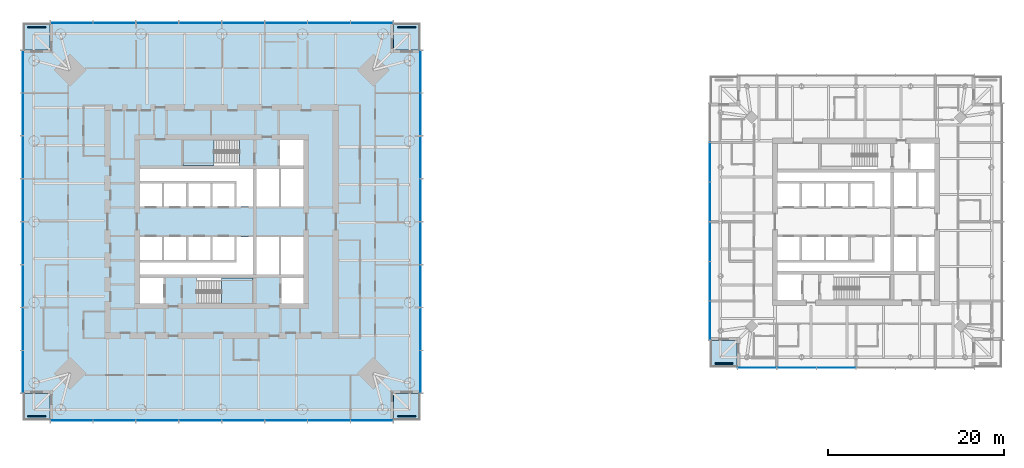
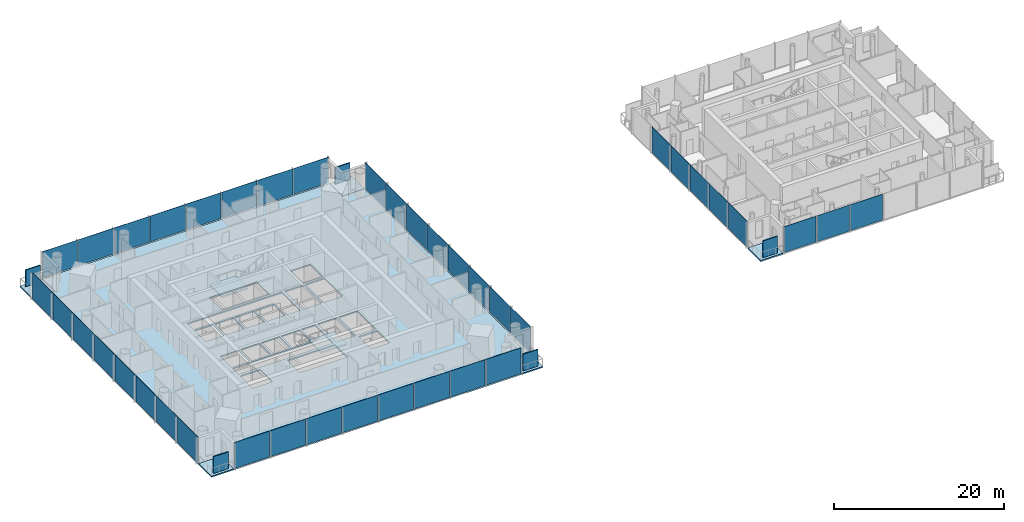
# One storey, part 6 of 18: 45 plates, 8 slabs, 8 elements without a shape of their own.
"""IFC4 building model written with IfcOpenShell, lengths in metres."""

from ifc_helpers import new_model, si_unit, direction, frame, origin, origin_2d, place, context, subcontext, project, spatial, polyline, rectangle, outline, extrude, material, layer, layer_set, type_object, element, aggregate, save


model = new_model("IFC4")

# Units and contexts
model_context = context("Model", 3, precision=1e-05, world=origin(), true_north=direction((0.0, 1.0)))
body_context = subcontext(model_context, "Body", "Model", "MODEL_VIEW")
ifc_project = project(units=[si_unit("LENGTHUNIT", "METRE"), si_unit("AREAUNIT", "SQUARE_METRE"), si_unit("VOLUMEUNIT", "CUBIC_METRE"), si_unit("PLANEANGLEUNIT", "RADIAN"), si_unit("MASSUNIT", "GRAM", prefix="KILO")], contexts=[model_context])

# Site, building, storey
site_placement = place(None, origin())
site = spatial("IfcSite", under=ifc_project, at=site_placement, CompositionType="ELEMENT")
building_placement = place(site_placement, origin())
building = spatial("IfcBuilding", under=site, at=building_placement, Name="Ostroluk Exchange", CompositionType="ELEMENT")
storey_placement = place(building_placement, frame((0.0, 0.0, 104.60009765625)))
storey = spatial("IfcBuildingStorey", under=building, at=storey_placement, Name="L26", CompositionType="ELEMENT", Elevation=104.60009765625)

# Curtain wall, plates
ifc_material_1 = material(Name="Laminated clear glass", Category="glass")
curtain_wall_type_1 = type_object("IfcCurtainWallType", Name="Hotel guest floor facade", PredefinedType="USERDEFINED", material=ifc_material_1)
curtain_wall_1_placement = place(storey_placement, origin())
curtain_wall_1 = element("IfcCurtainWall", 1, at=curtain_wall_1_placement, inside=storey, type_object=curtain_wall_type_1, Name="Hotel tower south facade L26", ObjectType="UNITISED CURTAIN WALL", PredefinedType="USERDEFINED")
ifc_material_2 = material(Name="Laminated clear glass", Category="glass")
ifc_layer_1 = layer(ifc_material_2, 0.0400390625)
ifc_layer_set_1 = layer_set([ifc_layer_1], Name="Acoustic laminated glazing 40")
plate_type_1 = type_object("IfcPlateType", Name="Acoustic laminated glazing 40", PredefinedType="CURTAIN_PANEL", material=ifc_layer_set_1)
plate_1_placement = place(storey_placement, frame((105.77001953125, 29.425048828125, 0.080078125), z_axis=(0.0, 0.0, 1.0), x_axis=(1.0, 0.0, 0.0)))
plate_1 = element("IfcPlate", 2, at=plate_1_placement, type_object=plate_type_1, Name="CW-H1 panel 1.1", PredefinedType="CURTAIN_PANEL", context=body_context, shape_type="SweptSolid", body=[
    extrude(rectangle(XDim=4.3798828125, YDim=0.0400390625, at=origin_2d()), origin(), (0.0, 0.0, 1.0), 3.719970703125),
])
plate_2_placement = place(storey_placement, frame((110.25, 29.425048828125, 0.080078125), z_axis=(0.0, 0.0, 1.0), x_axis=(1.0, 0.0, 0.0)))
plate_2 = element("IfcPlate", 3, at=plate_2_placement, type_object=plate_type_1, Name="CW-H1 panel 2.1", PredefinedType="CURTAIN_PANEL", context=body_context, shape_type="SweptSolid", body=[
    extrude(rectangle(XDim=4.419921875, YDim=0.0400390625, at=origin_2d()), origin(), (0.0, 0.0, 1.0), 3.719970703125),
])
plate_3_placement = place(storey_placement, frame((114.75, 29.425048828125, 0.080078125), z_axis=(0.0, 0.0, 1.0), x_axis=(1.0, 0.0, 0.0)))
plate_3 = element("IfcPlate", 4, at=plate_3_placement, type_object=plate_type_1, Name="CW-H1 panel 3.1", PredefinedType="CURTAIN_PANEL", context=body_context, shape_type="SweptSolid", body=[
    extrude(rectangle(XDim=4.419921875, YDim=0.0400390625, at=origin_2d()), origin(), (0.0, 0.0, 1.0), 3.719970703125),
])
aggregate(curtain_wall_1, [plate_1, plate_2, plate_3])

curtain_wall_2_placement = place(storey_placement, origin())
curtain_wall_2 = element("IfcCurtainWall", 5, at=curtain_wall_2_placement, inside=storey, type_object=curtain_wall_type_1, Name="Hotel tower west facade L26", ObjectType="UNITISED CURTAIN WALL", PredefinedType="USERDEFINED")
plate_4_placement = place(storey_placement, frame((100.425048828125, 52.75, 0.080078125), z_axis=(0.0, 0.0, 1.0), x_axis=(0.0, -1.0, 0.0)))
plate_4 = element("IfcPlate", 6, at=plate_4_placement, type_object=plate_type_1, Name="CW-H1 panel 2.1", PredefinedType="CURTAIN_PANEL", context=body_context, shape_type="SweptSolid", body=[
    extrude(rectangle(XDim=4.419921875, YDim=0.0400390625, at=origin_2d()), origin(), (0.0, 0.0, 1.0), 3.719970703125),
])
plate_5_placement = place(storey_placement, frame((100.425048828125, 48.25, 0.080078125), z_axis=(0.0, 0.0, 1.0), x_axis=(0.0, -1.0, 0.0)))
plate_5 = element("IfcPlate", 7, at=plate_5_placement, type_object=plate_type_1, Name="CW-H1 panel 3.1", PredefinedType="CURTAIN_PANEL", context=body_context, shape_type="SweptSolid", body=[
    extrude(rectangle(XDim=4.419921875, YDim=0.0400390625, at=origin_2d()), origin(), (0.0, 0.0, 1.0), 3.719970703125),
])
plate_6_placement = place(storey_placement, frame((100.425048828125, 43.75, 0.080078125), z_axis=(0.0, 0.0, 1.0), x_axis=(0.0, -1.0, 0.0)))
plate_6 = element("IfcPlate", 8, at=plate_6_placement, type_object=plate_type_1, Name="CW-H1 panel 4.1", PredefinedType="CURTAIN_PANEL", context=body_context, shape_type="SweptSolid", body=[
    extrude(rectangle(XDim=4.419921875, YDim=0.0400390625, at=origin_2d()), origin(), (0.0, 0.0, 1.0), 3.719970703125),
])
plate_7_placement = place(storey_placement, frame((100.425048828125, 39.25, 0.080078125), z_axis=(0.0, 0.0, 1.0), x_axis=(0.0, -1.0, 0.0)))
plate_7 = element("IfcPlate", 9, at=plate_7_placement, type_object=plate_type_1, Name="CW-H1 panel 5.1", PredefinedType="CURTAIN_PANEL", context=body_context, shape_type="SweptSolid", body=[
    extrude(rectangle(XDim=4.419921875, YDim=0.0400390625, at=origin_2d()), origin(), (0.0, 0.0, 1.0), 3.719970703125),
])
plate_8_placement = place(storey_placement, frame((100.425048828125, 34.77001953125, 0.080078125), z_axis=(0.0, 0.0, 1.0), x_axis=(0.0, -1.0, 0.0)))
plate_8 = element("IfcPlate", 10, at=plate_8_placement, type_object=plate_type_1, Name="CW-H1 panel 6.1", PredefinedType="CURTAIN_PANEL", context=body_context, shape_type="SweptSolid", body=[
    extrude(rectangle(XDim=4.3798828125, YDim=0.0400390625, at=origin_2d()), origin(), (0.0, 0.0, 1.0), 3.719970703125),
])
aggregate(curtain_wall_2, [plate_4, plate_5, plate_6, plate_7, plate_8])

# Slabs
ifc_material_3 = material(Name="Concrete C35/45", Category="concrete")
ifc_layer_2 = layer(ifc_material_3, 0.179931640625)
ifc_layer_set_2 = layer_set([ifc_layer_2], Name="Balcony slab 180")
slab_type_1 = type_object("IfcSlabType", Name="Balcony slab 180", PredefinedType="USERDEFINED", material=ifc_layer_set_2)
slab_1_placement = place(storey_placement, frame((0.0, 0.0, -0.18017578125)))
element("IfcSlab", 11, at=slab_1_placement, inside=storey, type_object=slab_type_1, Name="Office tower SE corner balcony L26", ObjectType="BALCONY", PredefinedType="USERDEFINED", context=body_context, shape_type="SweptSolid", body=[
    extrude(outline(polyline([(64.5, 23.5), (67.5, 23.5), (67.5, 26.5), (64.5, 26.5), (64.5, 23.5)])), origin(), (0.0, 0.0, 1.0), 0.18017578125),
])
slab_2_placement = place(storey_placement, frame((0.0, 0.0, -0.18017578125)))
element("IfcSlab", 12, at=slab_2_placement, inside=storey, type_object=slab_type_1, Name="Office tower NE corner balcony L26", ObjectType="BALCONY", PredefinedType="USERDEFINED", context=body_context, shape_type="SweptSolid", body=[
    extrude(outline(polyline([(64.5, 65.5), (67.5, 65.5), (67.5, 68.5), (64.5, 68.5), (64.5, 65.5)])), origin(), (0.0, 0.0, 1.0), 0.18017578125),
])
slab_3_placement = place(storey_placement, frame((0.0, 0.0, -0.18017578125)))
element("IfcSlab", 13, at=slab_3_placement, inside=storey, type_object=slab_type_1, Name="Office tower NW corner balcony L26", ObjectType="BALCONY", PredefinedType="USERDEFINED", context=body_context, shape_type="SweptSolid", body=[
    extrude(outline(polyline([(22.5, 65.5), (25.5, 65.5), (25.5, 68.5), (22.5, 68.5), (22.5, 65.5)])), origin(), (0.0, 0.0, 1.0), 0.18017578125),
])
slab_4_placement = place(storey_placement, frame((0.0, 0.0, -0.18017578125)))
element("IfcSlab", 14, at=slab_4_placement, inside=storey, type_object=slab_type_1, Name="Office tower SW corner balcony L26", ObjectType="BALCONY", PredefinedType="USERDEFINED", context=body_context, shape_type="SweptSolid", body=[
    extrude(outline(polyline([(22.5, 23.5), (25.5, 23.5), (25.5, 26.5), (22.5, 26.5), (22.5, 23.5)])), origin(), (0.0, 0.0, 1.0), 0.18017578125),
])
ifc_material_4 = material(Name="Concrete C35/45", Category="concrete")
ifc_layer_3 = layer(ifc_material_4, 0.199951171875)
ifc_layer_set_3 = layer_set([ifc_layer_3], Name="Balcony slab 200")
slab_type_2 = type_object("IfcSlabType", Name="Balcony slab 200", PredefinedType="USERDEFINED", material=ifc_layer_set_3)
slab_5_placement = place(storey_placement, frame((0.0, 0.0, -0.2001953125)))
element("IfcSlab", 15, at=slab_5_placement, inside=storey, type_object=slab_type_2, Name="Hotel tower SW corner balcony L26", ObjectType="BALCONY", PredefinedType="USERDEFINED", context=body_context, shape_type="SweptSolid", body=[
    extrude(outline(polyline([(100.5, 29.5), (103.5, 29.5), (103.5, 32.5), (100.5, 32.5), (100.5, 29.5)])), origin(), (0.0, 0.0, 1.0), 0.2001953125),
])

# Plates
ifc_material_5 = material(Name="Steel S355 trellis with planting", Category="steel")
ifc_layer_4 = layer(ifc_material_5, 0.14990234375)
ifc_layer_set_4 = layer_set([ifc_layer_4], Name="Planted screen 150")
plate_type_2 = type_object("IfcPlateType", Name="Planted screen 150", PredefinedType="USERDEFINED", material=ifc_layer_set_4)
for number, where, z_axis, x_axis, name in (
    (16, (66.0, 23.925048828125, 0.0), (0.0, 0.0, 1.0), (1.0, 0.0, 0.0), "Office tower SE planted screen L26"),
    (17, (66.0, 68.074951171875, 0.0), (0.0, 0.0, 1.0), (1.0, 0.0, 0.0), "Office tower NE planted screen L26"),
    (18, (24.0, 68.074951171875, 0.0), (0.0, 0.0, 1.0), (1.0, 0.0, 0.0), "Office tower NW planted screen L26"),
    (19, (24.0, 23.925048828125, 0.0), (0.0, 0.0, 1.0), (1.0, 0.0, 0.0), "Office tower SW planted screen L26"),
    (20, (102.0, 29.925048828125, 0.0), (0.0, 0.0, 1.0), (1.0, 0.0, 0.0), "Hotel tower SW planted screen L26"),
):
    element("IfcPlate", number, at=place(storey_placement, frame(where, z_axis=z_axis, x_axis=x_axis)), inside=storey, type_object=plate_type_2, Name=name, ObjectType="PLANTED SCREEN", PredefinedType="USERDEFINED", context=body_context, shape_type="SweptSolid", body=[
        extrude(rectangle(XDim=2.0, YDim=0.14990234375, at=origin_2d()), origin(), (0.0, 0.0, 1.0), 2.39990234375),
    ])

# Stair, slab
ifc_material_6 = material(Name="Concrete C30/37", Category="concrete")
stair_type = type_object("IfcStairType", Name="Exit stair half turn 3800", PredefinedType="HALF_TURN_STAIR", material=ifc_material_6)
stair_1_placement = place(storey_placement, origin())
stair_1 = element("IfcStair", 21, at=stair_1_placement, inside=storey, type_object=stair_type, Name="Stair T1-S1 L26", PredefinedType="HALF_TURN_STAIR")
ifc_material_7 = material(Name="Concrete C30/37", Category="concrete")
ifc_layer_5 = layer(ifc_material_7, 0.199951171875)
ifc_layer_set_5 = layer_set([ifc_layer_5], Name="Stair landing 200")
slab_type_3 = type_object("IfcSlabType", Name="Stair landing 200", PredefinedType="LANDING", material=ifc_layer_set_5)
slab_6_placement = place(storey_placement, frame((0.0, 0.0, 1.699951171875)))
slab_6 = element("IfcSlab", 22, at=slab_6_placement, type_object=slab_type_3, Name="T1-S1 landing 1", PredefinedType="LANDING", context=body_context, shape_type="SweptSolid", body=[
    extrude(outline(polyline([(45.0, 36.699951171875), (45.0, 39.60009765625), (48.530029296875, 39.60009765625), (48.530029296875, 36.699951171875), (45.0, 36.699951171875)])), origin(), (0.0, 0.0, 1.0), 0.199951171875),
])
aggregate(stair_1, [slab_6])

stair_2_placement = place(storey_placement, origin())
stair_2 = element("IfcStair", 23, at=stair_2_placement, inside=storey, type_object=stair_type, Name="Stair T1-S2 L26", PredefinedType="HALF_TURN_STAIR")
slab_7_placement = place(storey_placement, frame((0.0, 0.0, 1.699951171875)))
slab_7 = element("IfcSlab", 24, at=slab_7_placement, type_object=slab_type_3, Name="T1-S2 landing 1", PredefinedType="LANDING", context=body_context, shape_type="SweptSolid", body=[
    extrude(outline(polyline([(44.1298828125, 52.39990234375), (44.1298828125, 55.300048828125), (40.60009765625, 55.300048828125), (40.60009765625, 52.39990234375), (44.1298828125, 52.39990234375)])), origin(), (0.0, 0.0, 1.0), 0.199951171875),
])
aggregate(stair_2, [slab_7])

# Slab
ifc_material_8 = material(Name="Concrete C35/45", Category="concrete")
ifc_layer_6 = layer(ifc_material_8, 0.179931640625)
ifc_layer_set_6 = layer_set([ifc_layer_6], Name="Tower floor slab 180 composite")
slab_type_4 = type_object("IfcSlabType", Name="Tower floor slab 180 composite", PredefinedType="FLOOR", material=ifc_layer_set_6)
slab_8_placement = place(storey_placement, frame((0.0, 0.0, -0.18017578125)))
element("IfcSlab", 25, at=slab_8_placement, inside=storey, type_object=slab_type_4, Name="Office tower floor slab L26", PredefinedType="FLOOR", context=body_context, shape_type="SweptSolid", body=[
    extrude(outline(polyline([(25.5, 23.5), (64.5, 23.5), (64.5, 26.5), (67.5, 26.5), (67.5, 65.5), (64.5, 65.5), (64.5, 68.5), (25.5, 68.5), (25.5, 65.5), (22.5, 65.5), (22.5, 26.5), (25.5, 26.5), (25.5, 23.5)]), holes=[polyline([(35.699951171875, 36.699951171875), (38.39990234375, 36.699951171875), (38.39990234375, 39.60009765625), (35.699951171875, 39.60009765625), (35.699951171875, 36.699951171875)]), polyline([(42.110107421875, 36.699951171875), (48.530029296875, 36.699951171875), (48.530029296875, 39.60009765625), (42.110107421875, 39.60009765625), (42.110107421875, 36.699951171875)]), polyline([(51.800048828125, 36.699951171875), (54.300048828125, 36.699951171875), (54.300048828125, 39.60009765625), (51.800048828125, 39.60009765625), (51.800048828125, 36.699951171875)]), polyline([(40.60009765625, 52.39990234375), (47.02001953125, 52.39990234375), (47.02001953125, 55.300048828125), (40.60009765625, 55.300048828125), (40.60009765625, 52.39990234375)]), polyline([(51.60009765625, 52.39990234375), (54.300048828125, 52.39990234375), (54.300048828125, 55.300048828125), (51.60009765625, 55.300048828125), (51.60009765625, 52.39990234375)]), polyline([(35.699951171875, 47.75), (38.199951171875, 47.75), (38.199951171875, 50.35009765625), (35.699951171875, 50.35009765625), (35.699951171875, 47.75)]), polyline([(38.449951171875, 47.75), (40.949951171875, 47.75), (40.949951171875, 50.35009765625), (38.449951171875, 50.35009765625), (38.449951171875, 47.75)]), polyline([(41.199951171875, 47.75), (43.699951171875, 47.75), (43.699951171875, 50.35009765625), (41.199951171875, 50.35009765625), (41.199951171875, 47.75)]), polyline([(43.949951171875, 47.75), (46.449951171875, 47.75), (46.449951171875, 50.35009765625), (43.949951171875, 50.35009765625), (43.949951171875, 47.75)]), polyline([(35.699951171875, 41.64990234375), (38.199951171875, 41.64990234375), (38.199951171875, 44.25), (35.699951171875, 44.25), (35.699951171875, 41.64990234375)]), polyline([(38.449951171875, 41.64990234375), (40.949951171875, 41.64990234375), (40.949951171875, 44.25), (38.449951171875, 44.25), (38.449951171875, 41.64990234375)]), polyline([(41.199951171875, 41.64990234375), (43.699951171875, 41.64990234375), (43.699951171875, 44.25), (41.199951171875, 44.25), (41.199951171875, 41.64990234375)]), polyline([(43.949951171875, 41.64990234375), (46.449951171875, 41.64990234375), (46.449951171875, 44.25), (43.949951171875, 44.25), (43.949951171875, 41.64990234375)]), polyline([(48.929931640625, 47.75), (51.489990234375, 47.75), (51.489990234375, 52.0), (48.929931640625, 52.0), (48.929931640625, 47.75)]), polyline([(51.739990234375, 47.75), (54.300048828125, 47.75), (54.300048828125, 52.0), (51.739990234375, 52.0), (51.739990234375, 47.75)]), polyline([(48.929931640625, 40.0), (51.489990234375, 40.0), (51.489990234375, 44.25), (48.929931640625, 44.25), (48.929931640625, 40.0)]), polyline([(51.739990234375, 40.0), (54.300048828125, 40.0), (54.300048828125, 44.25), (51.739990234375, 44.25), (51.739990234375, 40.0)]), polyline([(48.530029296875, 52.0), (48.530029296875, 47.75), (46.699951171875, 47.75), (46.699951171875, 50.60009765625), (35.699951171875, 50.60009765625), (35.699951171875, 52.0), (48.530029296875, 52.0)]), polyline([(35.699951171875, 40.0), (35.699951171875, 41.39990234375), (46.699951171875, 41.39990234375), (46.699951171875, 44.25), (48.530029296875, 44.25), (48.530029296875, 40.0), (35.699951171875, 40.0)])]), origin(), (0.0, 0.0, 1.0), 0.18017578125),
])

# Curtain wall, plates
ifc_material_9 = material(Name="Laminated clear glass", Category="glass")
curtain_wall_type_2 = type_object("IfcCurtainWallType", Name="Office tower facade", PredefinedType="USERDEFINED", material=ifc_material_9)
curtain_wall_3_placement = place(storey_placement, origin())
curtain_wall_3 = element("IfcCurtainWall", 26, at=curtain_wall_3_placement, inside=storey, type_object=curtain_wall_type_2, Name="Office tower south facade L26", ObjectType="UNITISED CURTAIN WALL", PredefinedType="USERDEFINED")
ifc_material_10 = material(Name="Laminated clear glass", Category="glass")
ifc_layer_7 = layer(ifc_material_10, 0.0439453125)
ifc_layer_set_7 = layer_set([ifc_layer_7], Name="Triple laminated clear glazing 44")
plate_type_3 = type_object("IfcPlateType", Name="Triple laminated clear glazing 44", PredefinedType="CURTAIN_PANEL", material=ifc_layer_set_7)
plate_9_placement = place(storey_placement, frame((27.95751953125, 23.425048828125, 0.080078125), z_axis=(0.0, 0.0, 1.0), x_axis=(1.0, 0.0, 0.0)))
plate_9 = element("IfcPlate", 27, at=plate_9_placement, type_object=plate_type_3, Name="CW-O1 panel 1.1", PredefinedType="CURTAIN_PANEL", context=body_context, shape_type="SweptSolid", body=[
    extrude(rectangle(XDim=4.7548828125, YDim=0.0439453125, at=origin_2d()), origin(), (0.0, 0.0, 1.0), 3.719970703125),
])
plate_10_placement = place(storey_placement, frame((32.8125, 23.425048828125, 0.080078125), z_axis=(0.0, 0.0, 1.0), x_axis=(1.0, 0.0, 0.0)))
plate_10 = element("IfcPlate", 28, at=plate_10_placement, type_object=plate_type_3, Name="CW-O1 panel 2.1", PredefinedType="CURTAIN_PANEL", context=body_context, shape_type="SweptSolid", body=[
    extrude(rectangle(XDim=4.794921875, YDim=0.0439453125, at=origin_2d()), origin(), (0.0, 0.0, 1.0), 3.719970703125),
])
plate_11_placement = place(storey_placement, frame((37.6875, 23.425048828125, 0.080078125), z_axis=(0.0, 0.0, 1.0), x_axis=(1.0, 0.0, 0.0)))
plate_11 = element("IfcPlate", 29, at=plate_11_placement, type_object=plate_type_3, Name="CW-O1 panel 3.1", PredefinedType="CURTAIN_PANEL", context=body_context, shape_type="SweptSolid", body=[
    extrude(rectangle(XDim=4.794921875, YDim=0.0439453125, at=origin_2d()), origin(), (0.0, 0.0, 1.0), 3.719970703125),
])
plate_12_placement = place(storey_placement, frame((42.5625, 23.425048828125, 0.080078125), z_axis=(0.0, 0.0, 1.0), x_axis=(1.0, 0.0, 0.0)))
plate_12 = element("IfcPlate", 30, at=plate_12_placement, type_object=plate_type_3, Name="CW-O1 panel 4.1", PredefinedType="CURTAIN_PANEL", context=body_context, shape_type="SweptSolid", body=[
    extrude(rectangle(XDim=4.794921875, YDim=0.0439453125, at=origin_2d()), origin(), (0.0, 0.0, 1.0), 3.719970703125),
])
plate_13_placement = place(storey_placement, frame((47.4375, 23.425048828125, 0.080078125), z_axis=(0.0, 0.0, 1.0), x_axis=(1.0, 0.0, 0.0)))
plate_13 = element("IfcPlate", 31, at=plate_13_placement, type_object=plate_type_3, Name="CW-O1 panel 5.1", PredefinedType="CURTAIN_PANEL", context=body_context, shape_type="SweptSolid", body=[
    extrude(rectangle(XDim=4.794921875, YDim=0.0439453125, at=origin_2d()), origin(), (0.0, 0.0, 1.0), 3.719970703125),
])
plate_14_placement = place(storey_placement, frame((52.3125, 23.425048828125, 0.080078125), z_axis=(0.0, 0.0, 1.0), x_axis=(1.0, 0.0, 0.0)))
plate_14 = element("IfcPlate", 32, at=plate_14_placement, type_object=plate_type_3, Name="CW-O1 panel 6.1", PredefinedType="CURTAIN_PANEL", context=body_context, shape_type="SweptSolid", body=[
    extrude(rectangle(XDim=4.794921875, YDim=0.0439453125, at=origin_2d()), origin(), (0.0, 0.0, 1.0), 3.719970703125),
])
plate_15_placement = place(storey_placement, frame((57.1875, 23.425048828125, 0.080078125), z_axis=(0.0, 0.0, 1.0), x_axis=(1.0, 0.0, 0.0)))
plate_15 = element("IfcPlate", 33, at=plate_15_placement, type_object=plate_type_3, Name="CW-O1 panel 7.1", PredefinedType="CURTAIN_PANEL", context=body_context, shape_type="SweptSolid", body=[
    extrude(rectangle(XDim=4.794921875, YDim=0.0439453125, at=origin_2d()), origin(), (0.0, 0.0, 1.0), 3.719970703125),
])
plate_16_placement = place(storey_placement, frame((62.04248046875, 23.425048828125, 0.080078125), z_axis=(0.0, 0.0, 1.0), x_axis=(1.0, 0.0, 0.0)))
plate_16 = element("IfcPlate", 34, at=plate_16_placement, type_object=plate_type_3, Name="CW-O1 panel 8.1", PredefinedType="CURTAIN_PANEL", context=body_context, shape_type="SweptSolid", body=[
    extrude(rectangle(XDim=4.7548828125, YDim=0.0439453125, at=origin_2d()), origin(), (0.0, 0.0, 1.0), 3.719970703125),
])
aggregate(curtain_wall_3, [plate_9, plate_10, plate_11, plate_12, plate_13, plate_14, plate_15, plate_16])

curtain_wall_4_placement = place(storey_placement, origin())
curtain_wall_4 = element("IfcCurtainWall", 35, at=curtain_wall_4_placement, inside=storey, type_object=curtain_wall_type_2, Name="Office tower east facade L26", ObjectType="UNITISED CURTAIN WALL", PredefinedType="USERDEFINED")
plate_17_placement = place(storey_placement, frame((67.574951171875, 28.95751953125, 0.080078125), z_axis=(0.0, 0.0, 1.0), x_axis=(0.0, 1.0, 0.0)))
plate_17 = element("IfcPlate", 36, at=plate_17_placement, type_object=plate_type_3, Name="CW-O1 panel 1.1", PredefinedType="CURTAIN_PANEL", context=body_context, shape_type="SweptSolid", body=[
    extrude(rectangle(XDim=4.7548828125, YDim=0.0439453125, at=origin_2d()), origin(), (0.0, 0.0, 1.0), 3.719970703125),
])
plate_18_placement = place(storey_placement, frame((67.574951171875, 33.8125, 0.080078125), z_axis=(0.0, 0.0, 1.0), x_axis=(0.0, 1.0, 0.0)))
plate_18 = element("IfcPlate", 37, at=plate_18_placement, type_object=plate_type_3, Name="CW-O1 panel 2.1", PredefinedType="CURTAIN_PANEL", context=body_context, shape_type="SweptSolid", body=[
    extrude(rectangle(XDim=4.794921875, YDim=0.0439453125, at=origin_2d()), origin(), (0.0, 0.0, 1.0), 3.719970703125),
])
plate_19_placement = place(storey_placement, frame((67.574951171875, 38.6875, 0.080078125), z_axis=(0.0, 0.0, 1.0), x_axis=(0.0, 1.0, 0.0)))
plate_19 = element("IfcPlate", 38, at=plate_19_placement, type_object=plate_type_3, Name="CW-O1 panel 3.1", PredefinedType="CURTAIN_PANEL", context=body_context, shape_type="SweptSolid", body=[
    extrude(rectangle(XDim=4.794921875, YDim=0.0439453125, at=origin_2d()), origin(), (0.0, 0.0, 1.0), 3.719970703125),
])
plate_20_placement = place(storey_placement, frame((67.574951171875, 43.5625, 0.080078125), z_axis=(0.0, 0.0, 1.0), x_axis=(0.0, 1.0, 0.0)))
plate_20 = element("IfcPlate", 39, at=plate_20_placement, type_object=plate_type_3, Name="CW-O1 panel 4.1", PredefinedType="CURTAIN_PANEL", context=body_context, shape_type="SweptSolid", body=[
    extrude(rectangle(XDim=4.794921875, YDim=0.0439453125, at=origin_2d()), origin(), (0.0, 0.0, 1.0), 3.719970703125),
])
plate_21_placement = place(storey_placement, frame((67.574951171875, 48.4375, 0.080078125), z_axis=(0.0, 0.0, 1.0), x_axis=(0.0, 1.0, 0.0)))
plate_21 = element("IfcPlate", 40, at=plate_21_placement, type_object=plate_type_3, Name="CW-O1 panel 5.1", PredefinedType="CURTAIN_PANEL", context=body_context, shape_type="SweptSolid", body=[
    extrude(rectangle(XDim=4.794921875, YDim=0.0439453125, at=origin_2d()), origin(), (0.0, 0.0, 1.0), 3.719970703125),
])
plate_22_placement = place(storey_placement, frame((67.574951171875, 53.3125, 0.080078125), z_axis=(0.0, 0.0, 1.0), x_axis=(0.0, 1.0, 0.0)))
plate_22 = element("IfcPlate", 41, at=plate_22_placement, type_object=plate_type_3, Name="CW-O1 panel 6.1", PredefinedType="CURTAIN_PANEL", context=body_context, shape_type="SweptSolid", body=[
    extrude(rectangle(XDim=4.794921875, YDim=0.0439453125, at=origin_2d()), origin(), (0.0, 0.0, 1.0), 3.719970703125),
])
plate_23_placement = place(storey_placement, frame((67.574951171875, 58.1875, 0.080078125), z_axis=(0.0, 0.0, 1.0), x_axis=(0.0, 1.0, 0.0)))
plate_23 = element("IfcPlate", 42, at=plate_23_placement, type_object=plate_type_3, Name="CW-O1 panel 7.1", PredefinedType="CURTAIN_PANEL", context=body_context, shape_type="SweptSolid", body=[
    extrude(rectangle(XDim=4.794921875, YDim=0.0439453125, at=origin_2d()), origin(), (0.0, 0.0, 1.0), 3.719970703125),
])
plate_24_placement = place(storey_placement, frame((67.574951171875, 63.04248046875, 0.080078125), z_axis=(0.0, 0.0, 1.0), x_axis=(0.0, 1.0, 0.0)))
plate_24 = element("IfcPlate", 43, at=plate_24_placement, type_object=plate_type_3, Name="CW-O1 panel 8.1", PredefinedType="CURTAIN_PANEL", context=body_context, shape_type="SweptSolid", body=[
    extrude(rectangle(XDim=4.7548828125, YDim=0.0439453125, at=origin_2d()), origin(), (0.0, 0.0, 1.0), 3.719970703125),
])
aggregate(curtain_wall_4, [plate_17, plate_18, plate_19, plate_20, plate_21, plate_22, plate_23, plate_24])

curtain_wall_5_placement = place(storey_placement, origin())
curtain_wall_5 = element("IfcCurtainWall", 44, at=curtain_wall_5_placement, inside=storey, type_object=curtain_wall_type_2, Name="Office tower north facade L26", ObjectType="UNITISED CURTAIN WALL", PredefinedType="USERDEFINED")
plate_25_placement = place(storey_placement, frame((62.04248046875, 68.574951171875, 0.080078125), z_axis=(0.0, 0.0, 1.0), x_axis=(-1.0, 0.0, 0.0)))
plate_25 = element("IfcPlate", 45, at=plate_25_placement, type_object=plate_type_3, Name="CW-O1 panel 1.1", PredefinedType="CURTAIN_PANEL", context=body_context, shape_type="SweptSolid", body=[
    extrude(rectangle(XDim=4.7548828125, YDim=0.0439453125, at=origin_2d()), origin(), (0.0, 0.0, 1.0), 3.719970703125),
])
plate_26_placement = place(storey_placement, frame((57.1875, 68.574951171875, 0.080078125), z_axis=(0.0, 0.0, 1.0), x_axis=(-1.0, 0.0, 0.0)))
plate_26 = element("IfcPlate", 46, at=plate_26_placement, type_object=plate_type_3, Name="CW-O1 panel 2.1", PredefinedType="CURTAIN_PANEL", context=body_context, shape_type="SweptSolid", body=[
    extrude(rectangle(XDim=4.794921875, YDim=0.0439453125, at=origin_2d()), origin(), (0.0, 0.0, 1.0), 3.719970703125),
])
plate_27_placement = place(storey_placement, frame((52.3125, 68.574951171875, 0.080078125), z_axis=(0.0, 0.0, 1.0), x_axis=(-1.0, 0.0, 0.0)))
plate_27 = element("IfcPlate", 47, at=plate_27_placement, type_object=plate_type_3, Name="CW-O1 panel 3.1", PredefinedType="CURTAIN_PANEL", context=body_context, shape_type="SweptSolid", body=[
    extrude(rectangle(XDim=4.794921875, YDim=0.0439453125, at=origin_2d()), origin(), (0.0, 0.0, 1.0), 3.719970703125),
])
plate_28_placement = place(storey_placement, frame((47.4375, 68.574951171875, 0.080078125), z_axis=(0.0, 0.0, 1.0), x_axis=(-1.0, 0.0, 0.0)))
plate_28 = element("IfcPlate", 48, at=plate_28_placement, type_object=plate_type_3, Name="CW-O1 panel 4.1", PredefinedType="CURTAIN_PANEL", context=body_context, shape_type="SweptSolid", body=[
    extrude(rectangle(XDim=4.794921875, YDim=0.0439453125, at=origin_2d()), origin(), (0.0, 0.0, 1.0), 3.719970703125),
])
plate_29_placement = place(storey_placement, frame((42.5625, 68.574951171875, 0.080078125), z_axis=(0.0, 0.0, 1.0), x_axis=(-1.0, 0.0, 0.0)))
plate_29 = element("IfcPlate", 49, at=plate_29_placement, type_object=plate_type_3, Name="CW-O1 panel 5.1", PredefinedType="CURTAIN_PANEL", context=body_context, shape_type="SweptSolid", body=[
    extrude(rectangle(XDim=4.794921875, YDim=0.0439453125, at=origin_2d()), origin(), (0.0, 0.0, 1.0), 3.719970703125),
])
plate_30_placement = place(storey_placement, frame((37.6875, 68.574951171875, 0.080078125), z_axis=(0.0, 0.0, 1.0), x_axis=(-1.0, 0.0, 0.0)))
plate_30 = element("IfcPlate", 50, at=plate_30_placement, type_object=plate_type_3, Name="CW-O1 panel 6.1", PredefinedType="CURTAIN_PANEL", context=body_context, shape_type="SweptSolid", body=[
    extrude(rectangle(XDim=4.794921875, YDim=0.0439453125, at=origin_2d()), origin(), (0.0, 0.0, 1.0), 3.719970703125),
])
plate_31_placement = place(storey_placement, frame((32.8125, 68.574951171875, 0.080078125), z_axis=(0.0, 0.0, 1.0), x_axis=(-1.0, 0.0, 0.0)))
plate_31 = element("IfcPlate", 51, at=plate_31_placement, type_object=plate_type_3, Name="CW-O1 panel 7.1", PredefinedType="CURTAIN_PANEL", context=body_context, shape_type="SweptSolid", body=[
    extrude(rectangle(XDim=4.794921875, YDim=0.0439453125, at=origin_2d()), origin(), (0.0, 0.0, 1.0), 3.719970703125),
])
plate_32_placement = place(storey_placement, frame((27.95751953125, 68.574951171875, 0.080078125), z_axis=(0.0, 0.0, 1.0), x_axis=(-1.0, 0.0, 0.0)))
plate_32 = element("IfcPlate", 52, at=plate_32_placement, type_object=plate_type_3, Name="CW-O1 panel 8.1", PredefinedType="CURTAIN_PANEL", context=body_context, shape_type="SweptSolid", body=[
    extrude(rectangle(XDim=4.7548828125, YDim=0.0439453125, at=origin_2d()), origin(), (0.0, 0.0, 1.0), 3.719970703125),
])
aggregate(curtain_wall_5, [plate_25, plate_26, plate_27, plate_28, plate_29, plate_30, plate_31, plate_32])

curtain_wall_6_placement = place(storey_placement, origin())
curtain_wall_6 = element("IfcCurtainWall", 53, at=curtain_wall_6_placement, inside=storey, type_object=curtain_wall_type_2, Name="Office tower west facade L26", ObjectType="UNITISED CURTAIN WALL", PredefinedType="USERDEFINED")
plate_33_placement = place(storey_placement, frame((22.425048828125, 63.04248046875, 0.080078125), z_axis=(0.0, 0.0, 1.0), x_axis=(0.0, -1.0, 0.0)))
plate_33 = element("IfcPlate", 54, at=plate_33_placement, type_object=plate_type_3, Name="CW-O1 panel 1.1", PredefinedType="CURTAIN_PANEL", context=body_context, shape_type="SweptSolid", body=[
    extrude(rectangle(XDim=4.7548828125, YDim=0.0439453125, at=origin_2d()), origin(), (0.0, 0.0, 1.0), 3.719970703125),
])
plate_34_placement = place(storey_placement, frame((22.425048828125, 58.1875, 0.080078125), z_axis=(0.0, 0.0, 1.0), x_axis=(0.0, -1.0, 0.0)))
plate_34 = element("IfcPlate", 55, at=plate_34_placement, type_object=plate_type_3, Name="CW-O1 panel 2.1", PredefinedType="CURTAIN_PANEL", context=body_context, shape_type="SweptSolid", body=[
    extrude(rectangle(XDim=4.794921875, YDim=0.0439453125, at=origin_2d()), origin(), (0.0, 0.0, 1.0), 3.719970703125),
])
plate_35_placement = place(storey_placement, frame((22.425048828125, 53.3125, 0.080078125), z_axis=(0.0, 0.0, 1.0), x_axis=(0.0, -1.0, 0.0)))
plate_35 = element("IfcPlate", 56, at=plate_35_placement, type_object=plate_type_3, Name="CW-O1 panel 3.1", PredefinedType="CURTAIN_PANEL", context=body_context, shape_type="SweptSolid", body=[
    extrude(rectangle(XDim=4.794921875, YDim=0.0439453125, at=origin_2d()), origin(), (0.0, 0.0, 1.0), 3.719970703125),
])
plate_36_placement = place(storey_placement, frame((22.425048828125, 48.4375, 0.080078125), z_axis=(0.0, 0.0, 1.0), x_axis=(0.0, -1.0, 0.0)))
plate_36 = element("IfcPlate", 57, at=plate_36_placement, type_object=plate_type_3, Name="CW-O1 panel 4.1", PredefinedType="CURTAIN_PANEL", context=body_context, shape_type="SweptSolid", body=[
    extrude(rectangle(XDim=4.794921875, YDim=0.0439453125, at=origin_2d()), origin(), (0.0, 0.0, 1.0), 3.719970703125),
])
plate_37_placement = place(storey_placement, frame((22.425048828125, 43.5625, 0.080078125), z_axis=(0.0, 0.0, 1.0), x_axis=(0.0, -1.0, 0.0)))
plate_37 = element("IfcPlate", 58, at=plate_37_placement, type_object=plate_type_3, Name="CW-O1 panel 5.1", PredefinedType="CURTAIN_PANEL", context=body_context, shape_type="SweptSolid", body=[
    extrude(rectangle(XDim=4.794921875, YDim=0.0439453125, at=origin_2d()), origin(), (0.0, 0.0, 1.0), 3.719970703125),
])
plate_38_placement = place(storey_placement, frame((22.425048828125, 38.6875, 0.080078125), z_axis=(0.0, 0.0, 1.0), x_axis=(0.0, -1.0, 0.0)))
plate_38 = element("IfcPlate", 59, at=plate_38_placement, type_object=plate_type_3, Name="CW-O1 panel 6.1", PredefinedType="CURTAIN_PANEL", context=body_context, shape_type="SweptSolid", body=[
    extrude(rectangle(XDim=4.794921875, YDim=0.0439453125, at=origin_2d()), origin(), (0.0, 0.0, 1.0), 3.719970703125),
])
plate_39_placement = place(storey_placement, frame((22.425048828125, 33.8125, 0.080078125), z_axis=(0.0, 0.0, 1.0), x_axis=(0.0, -1.0, 0.0)))
plate_39 = element("IfcPlate", 60, at=plate_39_placement, type_object=plate_type_3, Name="CW-O1 panel 7.1", PredefinedType="CURTAIN_PANEL", context=body_context, shape_type="SweptSolid", body=[
    extrude(rectangle(XDim=4.794921875, YDim=0.0439453125, at=origin_2d()), origin(), (0.0, 0.0, 1.0), 3.719970703125),
])
plate_40_placement = place(storey_placement, frame((22.425048828125, 28.95751953125, 0.080078125), z_axis=(0.0, 0.0, 1.0), x_axis=(0.0, -1.0, 0.0)))
plate_40 = element("IfcPlate", 61, at=plate_40_placement, type_object=plate_type_3, Name="CW-O1 panel 8.1", PredefinedType="CURTAIN_PANEL", context=body_context, shape_type="SweptSolid", body=[
    extrude(rectangle(XDim=4.7548828125, YDim=0.0439453125, at=origin_2d()), origin(), (0.0, 0.0, 1.0), 3.719970703125),
])
aggregate(curtain_wall_6, [plate_33, plate_34, plate_35, plate_36, plate_37, plate_38, plate_39, plate_40])

save(model, "model.ifc")
